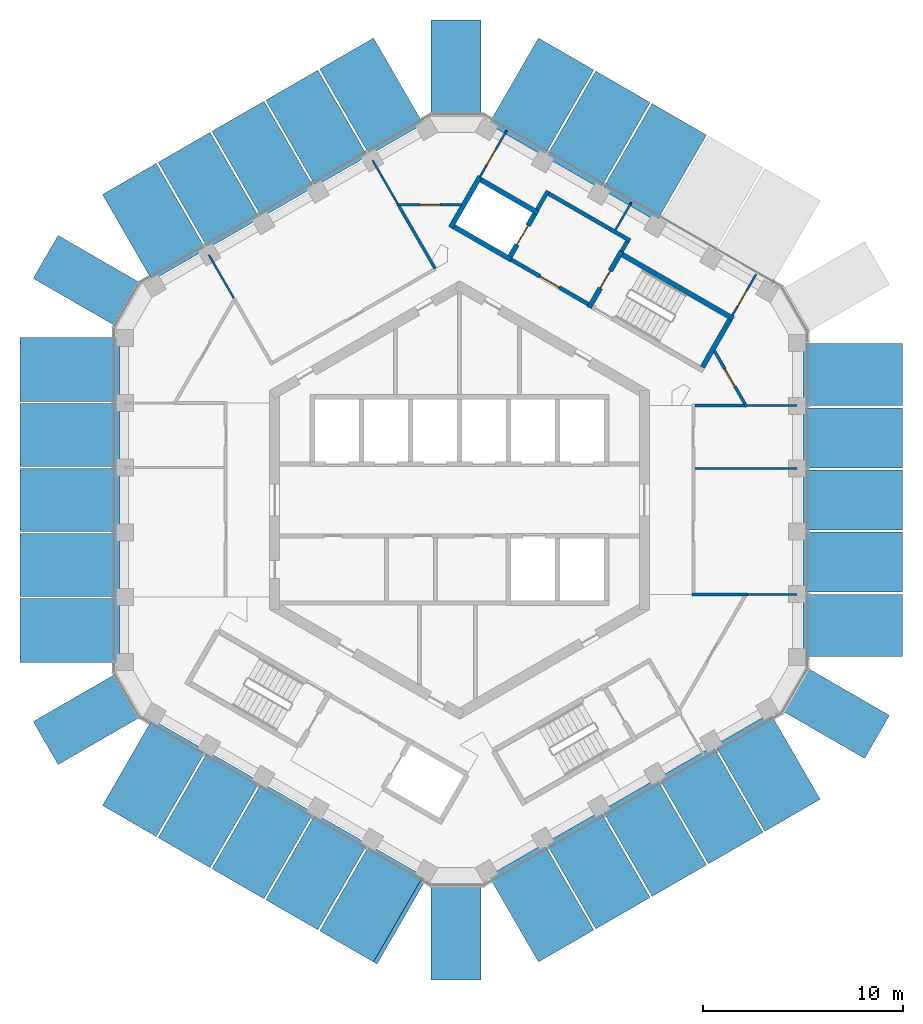
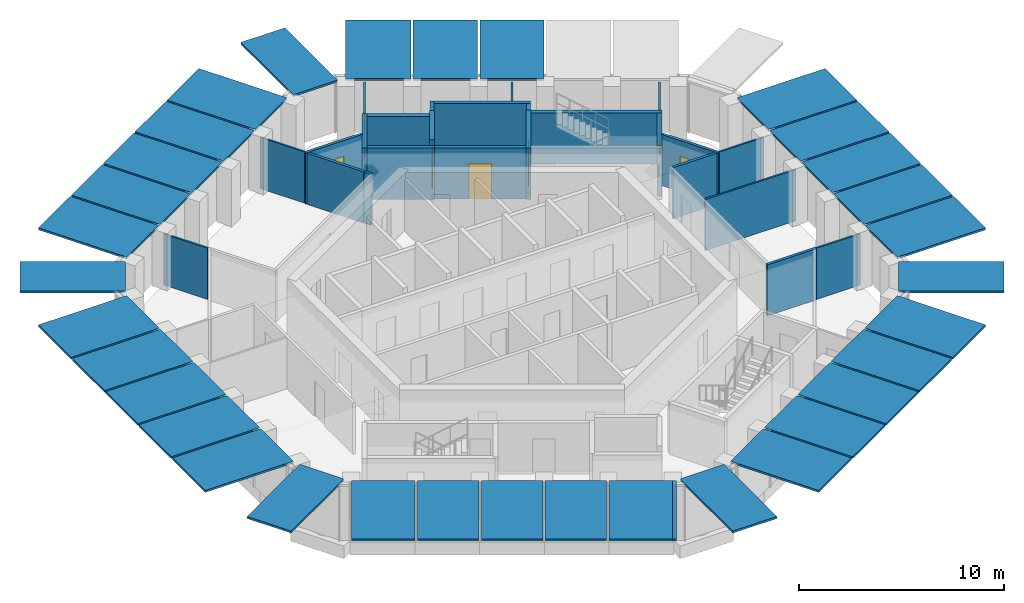
# One storey, part 14 of 17: 34 discrete accessories, 25 walls, 7 doors, 7 openings.
"""IFC4 building model written with IfcOpenShell, lengths in metres."""

from ifc_helpers import new_model, si_unit, direction, frame, frame_2d, origin, origin_2d, place, context, subcontext, project, spatial, polyline, rectangle, outline, extrude, material, layer, layer_set, type_object, element, fill, save


model = new_model("IFC4")

# Units and contexts
model_context = context("Model", 3, precision=1e-05, world=origin(), true_north=direction((0.0, 1.0)))
body_context = subcontext(model_context, "Body", "Model", "MODEL_VIEW")
ifc_project = project(units=[si_unit("LENGTHUNIT", "METRE"), si_unit("AREAUNIT", "SQUARE_METRE"), si_unit("VOLUMEUNIT", "CUBIC_METRE"), si_unit("PLANEANGLEUNIT", "RADIAN"), si_unit("MASSUNIT", "GRAM", prefix="KILO")], contexts=[model_context])

# Site, building, storey
site_placement = place(None, origin())
site = spatial("IfcSite", under=ifc_project, at=site_placement, CompositionType="ELEMENT")
building_placement = place(site_placement, origin())
building = spatial("IfcBuilding", under=site, at=building_placement, Name="Ayvan Gate Tower", CompositionType="ELEMENT")
storey_placement = place(building_placement, frame((0.0, 0.0, 225.699951171875)))
storey = spatial("IfcBuildingStorey", under=building, at=storey_placement, Name="L60", CompositionType="ELEMENT", Elevation=225.699951171875)

# Wall, opening, door
ifc_material_1 = material(Name="Plasterboard on steel stud", Category="steel")
ifc_layer_1 = layer(ifc_material_1, 0.14990234375)
ifc_layer_set_1 = layer_set([ifc_layer_1], Name="Plasterboard on steel stud")
wall_type_1 = type_object("IfcWallType", Name="WT-CORR-150", PredefinedType="PARTITIONING", material=ifc_layer_set_1)
wall_1_placement = place(storey_placement, frame((-3.140869140625, 14.767333984375, 0.0), z_axis=(0.0, 0.0, 1.0), x_axis=(1.0, 0.0, 0.0)))
wall_1 = element("IfcWall", 1, at=wall_1_placement, inside=storey, type_object=wall_type_1, Name="IW-L60-023", PredefinedType="PARTITIONING", context=body_context, shape_type="SweptSolid", body=[
    extrude(rectangle(XDim=3.22802734375, YDim=0.14990234375, at=frame_2d((1.614013671875, 0.0))), origin(), (0.0, 0.0, 1.0), 3.050048828125),
])
opening_1_placement = place(wall_1_placement, frame((1.168701171875, 0.0, 0.0)))
opening_1 = element("IfcOpeningElement", 2, at=opening_1_placement, cuts=wall_1, Name="Opening L60-D26", PredefinedType="OPENING", context=body_context, shape_type="SweptSolid", body=[
    extrude(rectangle(XDim=1.0, YDim=2.10009765625, at=frame_2d((0.5, 1.050048828125))), frame((0.0, 0.0849609375, 0.0), z_axis=(0.0, -1.0, 0.0), x_axis=(1.0, 0.0, 0.0)), (0.0, 0.0, 1.0), 0.169921875),
])
ifc_material_2 = material(Name="Timber door leaf", Category="wood")
door_type_1 = type_object("IfcDoorType", Name="DT-1000", OperationType="NOTDEFINED", PredefinedType="DOOR", material=ifc_material_2)
door_1_placement = place(opening_1_placement, origin())
door_1 = element("IfcDoor", 3, at=door_1_placement, inside=storey, type_object=door_type_1, Name="ID-L60-026", OperationType="SINGLE_SWING_RIGHT", OverallHeight=2.10009765625, OverallWidth=1.0, PredefinedType="DOOR", context=body_context, shape_type="SweptSolid", body=[
    extrude(rectangle(XDim=1.0, YDim=2.10009765625, at=frame_2d((0.5, 1.050048828125))), frame((0.0, 0.02490234375, 0.0), z_axis=(0.0, -1.0, 0.0), x_axis=(1.0, 0.0, 0.0)), (0.0, 0.0, 1.0), 0.050048828125),
])
fill(opening_1, door_1)

# Walls
wall_2_placement = place(storey_placement, frame((-1.427001953125, 11.928466796875, 0.0), z_axis=(0.0, 0.0, 1.0), x_axis=(-0.499951191736, 0.866053581415, 0.0)))
element("IfcWall", 4, at=wall_2_placement, inside=storey, type_object=wall_type_1, Name="IW-L60-028", PredefinedType="PARTITIONING", context=body_context, shape_type="SweptSolid", body=[
    extrude(rectangle(XDim=3.202880859375, YDim=0.14990234375, at=frame_2d((1.6015625, 0.0))), origin(), (0.0, 0.0, 1.0), 3.050048828125),
])
wall_3_placement = place(storey_placement, frame((-1.4169921875, 11.9111328125, 0.0), z_axis=(0.0, 0.0, 1.0), x_axis=(0.500107979177, -0.865963053002, 0.0)))
element("IfcWall", 5, at=wall_3_placement, inside=storey, type_object=wall_type_1, Name="IW-L60-029", PredefinedType="PARTITIONING", context=body_context, shape_type="SweptSolid", body=[
    extrude(rectangle(XDim=0.3837890625, YDim=0.14990234375, at=frame_2d((0.19189453125, 0.0))), origin(), (0.0, 0.0, 1.0), 3.050048828125),
])
wall_4_placement = place(storey_placement, frame((11.625, -4.728515625, 0.0), z_axis=(0.0, 0.0, 1.0), x_axis=(1.0, 0.0, 0.0)))
element("IfcWall", 6, at=wall_4_placement, inside=storey, type_object=wall_type_1, Name="IW-L60-067", PredefinedType="PARTITIONING", context=body_context, shape_type="SweptSolid", body=[
    extrude(rectangle(XDim=2.77197265625, YDim=0.14990234375, at=frame_2d((1.385986328125, 0.0))), origin(), (0.0, 0.0, 1.0), 3.050048828125),
])

# Wall, opening, door
wall_5_placement = place(storey_placement, frame((12.745361328125, 7.458984375, 0.0), z_axis=(0.0, 0.0, 1.0), x_axis=(0.500019253631, -0.86601428741, 0.0)))
wall_5 = element("IfcWall", 7, at=wall_5_placement, inside=storey, type_object=wall_type_1, Name="IW-L60-072", PredefinedType="PARTITIONING", context=body_context, shape_type="SweptSolid", body=[
    extrude(rectangle(XDim=3.227783203125, YDim=0.14990234375, at=frame_2d((1.61376953125, 0.0))), origin(), (0.0, 0.0, 1.0), 3.050048828125),
])
opening_2_placement = place(wall_5_placement, frame((1.05908203125, 0.0, 0.0)))
opening_2 = element("IfcOpeningElement", 8, at=opening_2_placement, cuts=wall_5, Name="Opening L60-D24", PredefinedType="OPENING", context=body_context, shape_type="SweptSolid", body=[
    extrude(rectangle(XDim=1.0, YDim=2.10009765625, at=frame_2d((0.5, 1.050048828125))), frame((0.0, 0.0849609375, 0.0), z_axis=(0.0, -1.0, 0.0), x_axis=(1.0, 0.0, 0.0)), (0.0, 0.0, 1.0), 0.169921875),
])
door_2_placement = place(opening_2_placement, origin())
door_2 = element("IfcDoor", 9, at=door_2_placement, inside=storey, type_object=door_type_1, Name="ID-L60-024", OperationType="SINGLE_SWING_RIGHT", OverallHeight=2.10009765625, OverallWidth=1.0, PredefinedType="DOOR", context=body_context, shape_type="SweptSolid", body=[
    extrude(rectangle(XDim=1.0, YDim=2.10009765625, at=frame_2d((0.5, 1.050048828125))), frame((0.0, 0.02490234375, 0.0), z_axis=(0.0, -1.0, 0.0), x_axis=(1.0, 0.0, 0.0)), (0.0, 0.0, 1.0), 0.050048828125),
])
fill(opening_2, door_2)

# Walls
wall_6_placement = place(storey_placement, frame((14.246826171875, 4.728515625, 0.0), z_axis=(0.0, 0.0, 1.0), x_axis=(-1.0, 0.0, 0.0)))
element("IfcWall", 10, at=wall_6_placement, inside=storey, type_object=wall_type_1, Name="IW-L60-076", PredefinedType="PARTITIONING", context=body_context, shape_type="SweptSolid", body=[
    extrude(rectangle(XDim=2.471923828125, YDim=0.14990234375, at=frame_2d((1.23583984375, 0.0))), origin(), (0.0, 0.0, 1.0), 3.050048828125),
])
ifc_layer_2 = layer(ifc_material_1, 0.10009765625)
ifc_layer_set_2 = layer_set([ifc_layer_2], Name="Plasterboard on steel stud")
wall_type_2 = type_object("IfcWallType", Name="WT-PART-100", PredefinedType="PARTITIONING", material=ifc_layer_set_2)
wall_7_placement = place(storey_placement, frame((-12.538818359375, 12.2607421875, 0.0), z_axis=(0.0, 0.0, 1.0), x_axis=(0.500008114086, -0.866020719064, 0.0)))
element("IfcWall", 11, at=wall_7_placement, inside=storey, type_object=wall_type_2, Name="IW-L60-003", PredefinedType="PARTITIONING", context=body_context, shape_type="SweptSolid", body=[
    extrude(rectangle(XDim=2.49072265625, YDim=0.10009765625, at=frame_2d((1.245361328125, 0.0))), origin(), (0.0, 0.0, 1.0), 3.050048828125),
])
wall_8_placement = place(storey_placement, frame((-3.103515625, 14.832275390625, 0.0), z_axis=(0.0, 0.0, 1.0), x_axis=(-0.499934593286, 0.866063163075, 0.0)))
element("IfcWall", 12, at=wall_8_placement, inside=storey, type_object=wall_type_2, Name="IW-L60-022", PredefinedType="PARTITIONING", context=body_context, shape_type="SweptSolid", body=[
    extrude(rectangle(XDim=2.490478515625, YDim=0.10009765625, at=frame_2d((1.2451171875, 0.0))), origin(), (0.0, 0.0, 1.0), 3.050048828125),
])

# Wall, opening, door
wall_9_placement = place(storey_placement, frame((2.359619140625, 18.48681640625, 0.0), z_axis=(0.0, 0.0, 1.0), x_axis=(-0.500021155841, -0.86601318911, 0.0)))
wall_9 = element("IfcWall", 13, at=wall_9_placement, inside=storey, type_object=wall_type_2, Name="IW-L60-039", PredefinedType="PARTITIONING", context=body_context, shape_type="SweptSolid", body=[
    extrude(rectangle(XDim=2.6650390625, YDim=0.10009765625, at=frame_2d((1.33251953125, 0.0))), origin(), (0.0, 0.0, 1.0), 3.050048828125),
])
opening_3_placement = place(wall_9_placement, frame((1.093017578125, 0.0, 0.0)))
opening_3 = element("IfcOpeningElement", 14, at=opening_3_placement, cuts=wall_9, Name="Opening L60-D27", PredefinedType="OPENING", context=body_context, shape_type="SweptSolid", body=[
    extrude(rectangle(XDim=0.89990234375, YDim=2.10009765625, at=frame_2d((0.449951171875, 1.050048828125))), frame((0.0, 0.06005859375, 0.0), z_axis=(0.0, -1.0, 0.0), x_axis=(1.0, 0.0, 0.0)), (0.0, 0.0, 1.0), 0.1201171875),
])
door_type_2 = type_object("IfcDoorType", Name="DT-900", OperationType="NOTDEFINED", PredefinedType="DOOR", material=ifc_material_2)
door_3_placement = place(opening_3_placement, origin())
door_3 = element("IfcDoor", 15, at=door_3_placement, inside=storey, type_object=door_type_2, Name="ID-L60-027", OperationType="SINGLE_SWING_LEFT", OverallHeight=2.10009765625, OverallWidth=0.89990234375, PredefinedType="DOOR", context=body_context, shape_type="SweptSolid", body=[
    extrude(rectangle(XDim=0.89990234375, YDim=2.10009765625, at=frame_2d((0.449951171875, 1.050048828125))), frame((0.0, 0.02490234375, 0.0), z_axis=(0.0, -1.0, 0.0), x_axis=(1.0, 0.0, 0.0)), (0.0, 0.0, 1.0), 0.050048828125),
])
fill(opening_3, door_3)

# Walls
wall_10_placement = place(storey_placement, frame((7.800048828125, 13.510009765625, 0.0), z_axis=(0.0, 0.0, 1.0), x_axis=(0.500037068326, 0.866004001318, 0.0)))
element("IfcWall", 16, at=wall_10_placement, inside=storey, type_object=wall_type_2, Name="IW-L60-060", PredefinedType="PARTITIONING", context=body_context, shape_type="SweptSolid", body=[
    extrude(rectangle(XDim=1.58984375, YDim=0.10009765625, at=frame_2d((0.794921875, 0.0))), origin(), (0.0, 0.0, 1.0), 3.050048828125),
])
wall_11_placement = place(storey_placement, frame((11.77490234375, 1.576171875, 0.0), z_axis=(0.0, 0.0, 1.0), x_axis=(1.0, 0.0, 0.0)))
element("IfcWall", 17, at=wall_11_placement, inside=storey, type_object=wall_type_2, Name="IW-L60-068", PredefinedType="PARTITIONING", context=body_context, shape_type="SweptSolid", body=[
    extrude(rectangle(XDim=5.112548828125, YDim=0.10009765625, at=frame_2d((2.55615234375, 0.0))), origin(), (0.0, 0.0, 1.0), 3.050048828125),
])

# Wall, opening, door
wall_12_placement = place(storey_placement, frame((13.647705078125, 9.23876953125, 0.0), z_axis=(0.0, 0.0, 1.0), x_axis=(0.50004711805, 0.865998198456, 0.0)))
wall_12 = element("IfcWall", 18, at=wall_12_placement, inside=storey, type_object=wall_type_2, Name="IW-L60-074", PredefinedType="PARTITIONING", context=body_context, shape_type="SweptSolid", body=[
    extrude(rectangle(XDim=2.364990234375, YDim=0.10009765625, at=frame_2d((1.1826171875, 0.0))), origin(), (0.0, 0.0, 1.0), 3.050048828125),
])
opening_4_placement = place(wall_12_placement, frame((0.52197265625, 0.0, 0.0)))
opening_4 = element("IfcOpeningElement", 19, at=opening_4_placement, cuts=wall_12, Name="Opening L60-D25", PredefinedType="OPENING", context=body_context, shape_type="SweptSolid", body=[
    extrude(rectangle(XDim=0.89990234375, YDim=2.10009765625, at=frame_2d((0.449951171875, 1.050048828125))), frame((0.0, 0.06005859375, 0.0), z_axis=(0.0, -1.0, 0.0), x_axis=(1.0, 0.0, 0.0)), (0.0, 0.0, 1.0), 0.1201171875),
])
door_4_placement = place(opening_4_placement, origin())
door_4 = element("IfcDoor", 20, at=door_4_placement, inside=storey, type_object=door_type_2, Name="ID-L60-025", OperationType="SINGLE_SWING_LEFT", OverallHeight=2.10009765625, OverallWidth=0.89990234375, PredefinedType="DOOR", context=body_context, shape_type="SweptSolid", body=[
    extrude(rectangle(XDim=0.89990234375, YDim=2.10009765625, at=frame_2d((0.449951171875, 1.050048828125))), frame((0.0, 0.02490234375, 0.0), z_axis=(0.0, -1.0, 0.0), x_axis=(1.0, 0.0, 0.0)), (0.0, 0.0, 1.0), 0.050048828125),
])
fill(opening_4, door_4)

# Walls
wall_13_placement = place(storey_placement, frame((14.39697265625, 4.728515625, 0.0), z_axis=(0.0, 0.0, 1.0), x_axis=(1.0, 0.0, 0.0)))
element("IfcWall", 21, at=wall_13_placement, inside=storey, type_object=wall_type_2, Name="IW-L60-077", PredefinedType="PARTITIONING", context=body_context, shape_type="SweptSolid", body=[
    extrude(rectangle(XDim=2.490478515625, YDim=0.10009765625, at=frame_2d((1.2451171875, 0.0))), origin(), (0.0, 0.0, 1.0), 3.050048828125),
])
wall_14_placement = place(storey_placement, frame((16.887451171875, -4.728515625, 0.0), z_axis=(0.0, 0.0, 1.0), x_axis=(-1.0, 0.0, 0.0)))
element("IfcWall", 22, at=wall_14_placement, inside=storey, type_object=wall_type_2, Name="IW-L60-078", PredefinedType="PARTITIONING", context=body_context, shape_type="SweptSolid", body=[
    extrude(rectangle(XDim=2.49072265625, YDim=0.10009765625, at=frame_2d((1.245361328125, 0.0))), origin(), (0.0, 0.0, 1.0), 3.050048828125),
])
ifc_layer_3 = layer(ifc_material_1, 0.199951171875)
ifc_layer_set_3 = layer_set([ifc_layer_3], Name="Plasterboard on steel stud")
wall_type_3 = type_object("IfcWallType", Name="WT-RATED-200", PredefinedType="PARTITIONING", material=ifc_layer_set_3)
wall_15_placement = place(storey_placement, frame((3.885009765625, 14.52880859375, 0.0), z_axis=(0.0, 0.0, 1.0), x_axis=(0.499997628298, 0.866026773083, 0.0)))
element("IfcWall", 23, at=wall_15_placement, inside=storey, type_object=wall_type_3, Name="IW-L60-046", PredefinedType="PARTITIONING", context=body_context, shape_type="SweptSolid", body=[
    extrude(rectangle(XDim=1.0751953125, YDim=0.199951171875, at=frame_2d((0.53759765625, 0.0))), origin(), (0.0, 0.0, 1.0), 3.050048828125),
])
wall_16_placement = place(storey_placement, frame((4.458984375, 15.323486328125, 0.0), z_axis=(0.0, 0.0, 1.0), x_axis=(0.866016039709, -0.500016218704, 0.0)))
element("IfcWall", 24, at=wall_16_placement, inside=storey, type_object=wall_type_3, Name="IW-L60-047", PredefinedType="PARTITIONING", context=body_context, shape_type="SweptSolid", body=[
    extrude(rectangle(XDim=4.699951171875, YDim=0.199951171875, at=frame_2d((2.35009765625, 0.0))), origin(), (0.0, 0.0, 1.0), 3.050048828125),
])

# Wall, opening, door
wall_17_placement = place(storey_placement, frame((6.4345703125, 9.794921875, 0.0), z_axis=(0.0, 0.0, 1.0), x_axis=(-0.866012907634, 0.500021643343, 0.0)))
wall_17 = element("IfcWall", 25, at=wall_17_placement, inside=storey, type_object=wall_type_3, Name="IW-L60-052", PredefinedType="PARTITIONING", context=body_context, shape_type="SweptSolid", body=[
    extrude(rectangle(XDim=4.449951171875, YDim=0.199951171875, at=frame_2d((2.22509765625, 0.0))), origin(), (0.0, 0.0, 1.0), 3.050048828125),
])
opening_5_placement = place(wall_17_placement, frame((1.675048828125, 0.0, 0.0)))
opening_5 = element("IfcOpeningElement", 26, at=opening_5_placement, cuts=wall_17, Name="Opening L60-D13", PredefinedType="OPENING", context=body_context, shape_type="SweptSolid", body=[
    extrude(rectangle(XDim=1.10009765625, YDim=2.10009765625, at=frame_2d((0.550048828125, 1.050048828125))), frame((0.0, 0.10986328125, 0.0), z_axis=(0.0, -1.0, 0.0), x_axis=(1.0, 0.0, 0.0)), (0.0, 0.0, 1.0), 0.219970703125),
])
door_type_3 = type_object("IfcDoorType", Name="DT-1100", OperationType="NOTDEFINED", PredefinedType="DOOR", material=ifc_material_2)
door_5_placement = place(opening_5_placement, origin())
door_5 = element("IfcDoor", 27, at=door_5_placement, inside=storey, type_object=door_type_3, Name="ID-L60-013", OperationType="SINGLE_SWING_LEFT", OverallHeight=2.10009765625, OverallWidth=1.10009765625, PredefinedType="DOOR", context=body_context, shape_type="SweptSolid", body=[
    extrude(rectangle(XDim=1.10009765625, YDim=2.10009765625, at=frame_2d((0.550048828125, 1.050048828125))), frame((0.0, 0.02490234375, 0.0), z_axis=(0.0, -1.0, 0.0), x_axis=(1.0, 0.0, 0.0)), (0.0, 0.0, 1.0), 0.050048828125),
])
fill(opening_5, door_5)

# Walls
wall_18_placement = place(storey_placement, frame((8.392822265625, 12.936767578125, 0.0), z_axis=(0.0, 0.0, 1.0), x_axis=(-0.500065409566, -0.86598763626, 0.0)))
element("IfcWall", 28, at=wall_18_placement, inside=storey, type_object=wall_type_3, Name="IW-L60-062", PredefinedType="PARTITIONING", context=body_context, shape_type="SweptSolid", body=[
    extrude(rectangle(XDim=0.5751953125, YDim=0.199951171875, at=frame_2d((0.28759765625, 0.0))), origin(), (0.0, 0.0, 1.0), 3.050048828125),
])
ifc_material_3 = material(Name="Concrete C50/60", Category="concrete")
ifc_layer_4 = layer(ifc_material_3, 0.25)
ifc_layer_set_4 = layer_set([ifc_layer_4], Name="Concrete C50/60")
wall_type_4 = type_object("IfcWallType", Name="WT-RC-250", PredefinedType="SHEAR", material=ifc_layer_set_4)
wall_19_placement = place(storey_placement, frame((-0.447998046875, 13.624267578125, 0.0), z_axis=(0.0, 0.0, 1.0), x_axis=(0.500037662692, 0.866003658127, 0.0)))
element("IfcWall", 29, at=wall_19_placement, inside=storey, type_object=wall_type_4, Name="IW-L60-032", PredefinedType="SHEAR", context=body_context, shape_type="SweptSolid", body=[
    extrude(rectangle(XDim=2.949951171875, YDim=0.25, at=frame_2d((1.47509765625, 0.0))), origin(), (0.0, 0.0, 1.0), 3.050048828125),
])
for number, where, z_axis, x_axis, name in (
    (30, (1.072998046875, 16.00830078125, 0.0), (0.0, 0.0, 1.0), (0.866040211805, -0.499974350878, 0.0), "IW-L60-037"),
    (31, (2.580810546875, 12.02001953125, 0.0), (0.0, 0.0, 1.0), (-0.866040211805, 0.499974350878, 0.0), "IW-L60-042"),
):
    element("IfcWall", number, at=place(storey_placement, frame(where, z_axis=z_axis, x_axis=x_axis)), inside=storey, type_object=wall_type_4, Name=name, PredefinedType="SHEAR", context=body_context, shape_type="SweptSolid", body=[
        extrude(rectangle(XDim=3.300048828125, YDim=0.25, at=frame_2d((1.64990234375, 0.0))), origin(), (0.0, 0.0, 1.0), 3.050048828125),
    ])

# Wall, opening, door
wall_20_placement = place(storey_placement, frame((2.534912109375, 12.19091796875, 0.0), z_axis=(0.0, 0.0, 1.0), x_axis=(0.500061746146, 0.865989751695, 0.0)))
wall_20 = element("IfcWall", 32, at=wall_20_placement, inside=storey, type_object=wall_type_4, Name="IW-L60-043", PredefinedType="SHEAR", context=body_context, shape_type="SweptSolid", body=[
    extrude(rectangle(XDim=2.449951171875, YDim=0.25, at=frame_2d((1.22509765625, 0.0))), origin(), (0.0, 0.0, 1.0), 3.400146484375),
])
opening_6_placement = place(wall_20_placement, frame((0.675048828125, 0.0, 0.0)))
opening_6 = element("IfcOpeningElement", 33, at=opening_6_placement, cuts=wall_20, Name="Opening L60-LD-FF1", PredefinedType="OPENING", context=body_context, shape_type="SweptSolid", body=[
    extrude(rectangle(XDim=1.10009765625, YDim=2.10009765625, at=frame_2d((0.550048828125, 1.050048828125))), frame((0.0, 0.135009765625, 0.0), z_axis=(0.0, -1.0, 0.0), x_axis=(1.0, 0.0, 0.0)), (0.0, 0.0, 1.0), 0.27001953125),
])
ifc_material_4 = material(Name="Stainless steel landing door", Category="steel")
door_type_4 = type_object("IfcDoorType", Name="DT-LANDING-1100", OperationType="SLIDING_TO_LEFT", PredefinedType="DOOR", material=ifc_material_4)
door_6_placement = place(opening_6_placement, origin())
door_6 = element("IfcDoor", 34, at=door_6_placement, inside=storey, type_object=door_type_4, Name="ID-L60-014", OperationType="SLIDING_TO_LEFT", OverallHeight=2.10009765625, OverallWidth=1.10009765625, PredefinedType="DOOR", context=body_context, shape_type="SweptSolid", body=[
    extrude(rectangle(XDim=1.10009765625, YDim=2.10009765625, at=frame_2d((0.550048828125, 1.050048828125))), frame((0.0, 0.02490234375, 0.0), z_axis=(0.0, -1.0, 0.0), x_axis=(1.0, 0.0, 0.0)), (0.0, 0.0, 1.0), 0.050048828125),
])
fill(opening_6, door_6)

wall_21_placement = place(storey_placement, frame((6.480224609375, 9.624267578125, 0.0), z_axis=(0.0, 0.0, 1.0), x_axis=(0.500017246033, 0.866015446554, 0.0)))
wall_21 = element("IfcWall", 35, at=wall_21_placement, inside=storey, type_object=wall_type_4, Name="IW-L60-053", PredefinedType="SHEAR", context=body_context, shape_type="SweptSolid", body=[
    extrude(rectangle(XDim=3.25, YDim=0.25, at=frame_2d((1.625, 0.0))), origin(), (0.0, 0.0, 1.0), 3.050048828125),
])
opening_7_placement = place(wall_21_placement, frame((1.125, 0.0, 0.0)))
opening_7 = element("IfcOpeningElement", 36, at=opening_7_placement, cuts=wall_21, Name="Opening L60-D12", PredefinedType="OPENING", context=body_context, shape_type="SweptSolid", body=[
    extrude(rectangle(XDim=1.0, YDim=2.10009765625, at=frame_2d((0.5, 1.050048828125))), frame((0.0, 0.135009765625, 0.0), z_axis=(0.0, -1.0, 0.0), x_axis=(1.0, 0.0, 0.0)), (0.0, 0.0, 1.0), 0.27001953125),
])
door_7_placement = place(opening_7_placement, origin())
door_7 = element("IfcDoor", 37, at=door_7_placement, inside=storey, type_object=door_type_1, Name="ID-L60-012", OperationType="SINGLE_SWING_RIGHT", OverallHeight=2.10009765625, OverallWidth=1.0, PredefinedType="DOOR", context=body_context, shape_type="SweptSolid", body=[
    extrude(rectangle(XDim=1.0, YDim=2.10009765625, at=frame_2d((0.5, 1.050048828125))), frame((0.0, 0.02490234375, 0.0), z_axis=(0.0, -1.0, 0.0), x_axis=(1.0, 0.0, 0.0)), (0.0, 0.0, 1.0), 0.050048828125),
])
fill(opening_7, door_7)

# Walls
wall_22_placement = place(storey_placement, frame((8.151123046875, 12.26806640625, 0.0), z_axis=(0.0, 0.0, 1.0), x_axis=(0.866025499775, -0.499999833739, 0.0)))
element("IfcWall", 38, at=wall_22_placement, inside=storey, type_object=wall_type_4, Name="IW-L60-061", PredefinedType="SHEAR", context=body_context, shape_type="SweptSolid", body=[
    extrude(rectangle(XDim=6.39990234375, YDim=0.25, at=frame_2d((3.199951171875, 0.0))), origin(), (0.0, 0.0, 1.0), 3.050048828125),
])
wall_23_placement = place(storey_placement, frame((12.14794921875, 6.640869140625, 0.0), z_axis=(0.0, 0.0, 1.0), x_axis=(0.500034990121, 0.866005201286, 0.0)))
element("IfcWall", 39, at=wall_23_placement, inside=storey, type_object=wall_type_4, Name="IW-L60-073", PredefinedType="SHEAR", context=body_context, shape_type="SweptSolid", body=[
    extrude(rectangle(XDim=2.749755859375, YDim=0.25, at=frame_2d((1.375, 0.0))), origin(), (0.0, 0.0, 1.0), 3.050048828125),
])

# Discrete accessories
ifc_material_5 = material(Name="Stainless steel 316", Category="steel")
ifc_layer_5 = layer(ifc_material_5, 0.1201171875)
ifc_layer_set_5 = layer_set([ifc_layer_5], Name="Stainless steel 316")
discrete_accessory_type = type_object("IfcDiscreteAccessoryType", Name="Fin carrier bracket", PredefinedType="BRACKET", material=ifc_layer_set_5)
discrete_accessory_1_placement = place(storey_placement, frame((-19.4970703125, -6.53662109375, 3.280029296875), z_axis=(0.0, 0.0, 1.0), x_axis=(0.0, -1.0, 0.0)))
element("IfcDiscreteAccessory", 40, at=discrete_accessory_1_placement, inside=storey, type_object=discrete_accessory_type, Name="Fin carrier 157", PredefinedType="BRACKET", context=body_context, shape_type="SweptSolid", body=[
    extrude(rectangle(XDim=3.19677734375, YDim=4.97509765625, at=origin_2d()), origin(), (0.0, 0.0, 1.0), 0.1201171875),
])
discrete_accessory_2_placement = place(storey_placement, frame((-19.4970703125, -3.255126953125, 3.280029296875), z_axis=(0.0, 0.0, 1.0), x_axis=(0.0, -1.0, 0.0)))
element("IfcDiscreteAccessory", 41, at=discrete_accessory_2_placement, inside=storey, type_object=discrete_accessory_type, Name="Fin carrier 165", PredefinedType="BRACKET", context=body_context, shape_type="SweptSolid", body=[
    extrude(rectangle(XDim=3.14599609375, YDim=4.97509765625, at=origin_2d()), origin(), (0.0, 0.0, 1.0), 0.1201171875),
])
for number, where, z_axis, x_axis, name in (
    (42, (-19.4970703125, 0.000244140625, 3.280029296875), (0.0, 0.0, 1.0), (0.0, -1.0, 0.0), "Fin carrier 166"),
    (43, (-19.4970703125, 3.25537109375, 3.280029296875), (0.0, 0.0, 1.0), (0.0, -1.0, 0.0), "Fin carrier 174"),
):
    element("IfcDiscreteAccessory", number, at=place(storey_placement, frame(where, z_axis=z_axis, x_axis=x_axis)), inside=storey, type_object=discrete_accessory_type, Name=name, PredefinedType="BRACKET", context=body_context, shape_type="SweptSolid", body=[
        extrude(rectangle(XDim=3.14501953125, YDim=4.97509765625, at=origin_2d()), origin(), (0.0, 0.0, 1.0), 0.1201171875),
    ])
discrete_accessory_3_placement = place(storey_placement, frame((-19.4970703125, 6.536376953125, 3.280029296875), z_axis=(0.0, 0.0, 1.0), x_axis=(0.0, -1.0, 0.0)))
element("IfcDiscreteAccessory", 44, at=discrete_accessory_3_placement, inside=storey, type_object=discrete_accessory_type, Name="Fin carrier 182", PredefinedType="BRACKET", context=body_context, shape_type="SweptSolid", body=[
    extrude(rectangle(XDim=3.197021484375, YDim=4.97509765625, at=origin_2d()), origin(), (0.0, 0.0, 1.0), 0.1201171875),
])
for number, where, z_axis, x_axis, name in (
    (45, (-18.475830078125, -10.87255859375, 3.280029296875), (0.0, 0.0, 1.0), (0.5, -0.866025403784, 0.0), "Fin carrier 194"),
    (46, (-18.475830078125, 10.87255859375, 3.280029296875), (0.0, 0.0, 1.0), (-0.5, -0.866025403784, 0.0), "Fin carrier 205"),
):
    element("IfcDiscreteAccessory", number, at=place(storey_placement, frame(where, z_axis=z_axis, x_axis=x_axis)), inside=storey, type_object=discrete_accessory_type, Name=name, PredefinedType="BRACKET", context=body_context, shape_type="SweptSolid", body=[
        extrude(rectangle(XDim=2.482666015625, YDim=5.14208984375, at=origin_2d()), origin(), (0.0, 0.0, 1.0), 0.1201171875),
    ])
for number, where, z_axis, x_axis, name in (
    (47, (-15.27099609375, -13.902099609375, 3.280029296875), (0.0, 0.0, 1.0), (0.866025403784, -0.5, 0.0), "Fin carrier 258"),
    (48, (-15.27099609375, 13.902099609375, 3.280029296875), (0.0, 0.0, 1.0), (-0.866025403784, -0.5, 0.0), "Fin carrier 259"),
):
    element("IfcDiscreteAccessory", number, at=place(storey_placement, frame(where, z_axis=z_axis, x_axis=x_axis)), inside=storey, type_object=discrete_accessory_type, Name=name, PredefinedType="BRACKET", context=body_context, shape_type="SweptSolid", body=[
        extrude(rectangle(XDim=3.10498046875, YDim=4.97509765625, at=origin_2d()), origin(), (0.0, 0.0, 1.0), 0.1201171875),
    ])
for number, where, z_axis, x_axis, name in (
    (49, (-12.53173828125, -15.483642578125, 3.280029296875), (0.0, 0.0, 1.0), (0.866025403784, -0.5, 0.0), "Fin carrier 310"),
    (50, (-12.53173828125, 15.483642578125, 3.280029296875), (0.0, 0.0, 1.0), (-0.866025403784, -0.5, 0.0), "Fin carrier 313"),
    (51, (-9.83740234375, -17.0390625, 3.280029296875), (0.0, 0.0, 1.0), (0.866025403784, -0.5, 0.0), "Fin carrier 356"),
    (52, (-9.83740234375, 17.0390625, 3.280029296875), (0.0, 0.0, 1.0), (-0.866025403784, -0.5, 0.0), "Fin carrier 367"),
    (53, (-7.143310546875, -18.594482421875, 3.280029296875), (0.0, 0.0, 1.0), (0.866025403784, -0.5, 0.0), "Fin carrier 418"),
    (54, (-7.143310546875, 18.594482421875, 3.280029296875), (0.0, 0.0, 1.0), (-0.866025403784, -0.5, 0.0), "Fin carrier 420"),
):
    element("IfcDiscreteAccessory", number, at=place(storey_placement, frame(where, z_axis=z_axis, x_axis=x_axis)), inside=storey, type_object=discrete_accessory_type, Name=name, PredefinedType="BRACKET", context=body_context, shape_type="SweptSolid", body=[
        extrude(rectangle(XDim=3.0009765625, YDim=4.97509765625, at=origin_2d()), origin(), (0.0, 0.0, 1.0), 0.1201171875),
    ])
for number, where, z_axis, x_axis, name in (
    (55, (-4.404052734375, -20.176025390625, 3.280029296875), (0.0, 0.0, 1.0), (0.866025403784, -0.5, 0.0), "Fin carrier 471"),
    (56, (-4.404052734375, 20.176025390625, 3.280029296875), (0.0, 0.0, 1.0), (-0.866025403784, -0.5, 0.0), "Fin carrier 472"),
):
    element("IfcDiscreteAccessory", number, at=place(storey_placement, frame(where, z_axis=z_axis, x_axis=x_axis)), inside=storey, type_object=discrete_accessory_type, Name=name, PredefinedType="BRACKET", context=body_context, shape_type="SweptSolid", body=[
        extrude(rectangle(XDim=3.10498046875, YDim=4.97509765625, at=origin_2d()), origin(), (0.0, 0.0, 1.0), 0.1201171875),
    ])
for number, where, z_axis, x_axis, name in (
    (57, (-0.177978515625, -21.436767578125, 3.280029296875), (0.0, 0.0, 1.0), (1.0, 0.0, 0.0), "Fin carrier 532"),
    (58, (-0.177978515625, 21.436767578125, 3.280029296875), (0.0, 0.0, 1.0), (-1.0, 0.0, 0.0), "Fin carrier 534"),
):
    element("IfcDiscreteAccessory", number, at=place(storey_placement, frame(where, z_axis=z_axis, x_axis=x_axis)), inside=storey, type_object=discrete_accessory_type, Name=name, PredefinedType="BRACKET", context=body_context, shape_type="SweptSolid", body=[
        extrude(rectangle(XDim=2.482666015625, YDim=5.14208984375, at=origin_2d()), origin(), (0.0, 0.0, 1.0), 0.1201171875),
    ])
discrete_accessory_4_placement = place(storey_placement, frame((4.087890625, -20.153076171875, 3.280029296875), z_axis=(0.0, 0.0, 1.0), x_axis=(0.866025403784, 0.5, 0.0)))
element("IfcDiscreteAccessory", 59, at=discrete_accessory_4_placement, inside=storey, type_object=discrete_accessory_type, Name="Fin carrier 577", PredefinedType="BRACKET", context=body_context, shape_type="SweptSolid", body=[
    extrude(rectangle(XDim=3.197021484375, YDim=4.97509765625, at=origin_2d()), origin(), (0.0, 0.0, 1.0), 0.1201171875),
])
discrete_accessory_5_placement = place(storey_placement, frame((4.087646484375, 20.153076171875, 3.280029296875), z_axis=(0.0, 0.0, 1.0), x_axis=(-0.866025403784, 0.5, 0.0)))
element("IfcDiscreteAccessory", 60, at=discrete_accessory_5_placement, inside=storey, type_object=discrete_accessory_type, Name="Fin carrier 578", PredefinedType="BRACKET", context=body_context, shape_type="SweptSolid", body=[
    extrude(rectangle(XDim=3.19677734375, YDim=4.97509765625, at=origin_2d()), origin(), (0.0, 0.0, 1.0), 0.1201171875),
])
discrete_accessory_6_placement = place(storey_placement, frame((6.92919921875, -18.512451171875, 3.280029296875), z_axis=(0.0, 0.0, 1.0), x_axis=(0.866025403784, 0.5, 0.0)))
element("IfcDiscreteAccessory", 61, at=discrete_accessory_6_placement, inside=storey, type_object=discrete_accessory_type, Name="Fin carrier 630", PredefinedType="BRACKET", context=body_context, shape_type="SweptSolid", body=[
    extrude(rectangle(XDim=3.14501953125, YDim=4.97509765625, at=origin_2d()), origin(), (0.0, 0.0, 1.0), 0.1201171875),
])
discrete_accessory_7_placement = place(storey_placement, frame((6.929443359375, 18.512451171875, 3.280029296875), z_axis=(0.0, 0.0, 1.0), x_axis=(-0.866025403784, 0.5, 0.0)))
element("IfcDiscreteAccessory", 62, at=discrete_accessory_7_placement, inside=storey, type_object=discrete_accessory_type, Name="Fin carrier 632", PredefinedType="BRACKET", context=body_context, shape_type="SweptSolid", body=[
    extrude(rectangle(XDim=3.14599609375, YDim=4.97509765625, at=origin_2d()), origin(), (0.0, 0.0, 1.0), 0.1201171875),
])
for number, where, z_axis, x_axis, name in (
    (63, (9.748046875, -16.885009765625, 3.280029296875), (0.0, 0.0, 1.0), (0.866025403784, 0.5, 0.0), "Fin carrier 662"),
    (64, (9.748779296875, 16.884765625, 3.280029296875), (0.0, 0.0, 1.0), (-0.866025403784, 0.5, 0.0), "Fin carrier 679"),
):
    element("IfcDiscreteAccessory", number, at=place(storey_placement, frame(where, z_axis=z_axis, x_axis=x_axis)), inside=storey, type_object=discrete_accessory_type, Name=name, PredefinedType="BRACKET", context=body_context, shape_type="SweptSolid", body=[
        extrude(rectangle(XDim=3.14501953125, YDim=4.97509765625, at=origin_2d()), origin(), (0.0, 0.0, 1.0), 0.1201171875),
    ])
discrete_accessory_8_placement = place(storey_placement, frame((12.567626953125, -15.25732421875, 3.280029296875), z_axis=(0.0, 0.0, 1.0), x_axis=(0.866025403784, 0.5, 0.0)))
element("IfcDiscreteAccessory", 65, at=discrete_accessory_8_placement, inside=storey, type_object=discrete_accessory_type, Name="Fin carrier 722", PredefinedType="BRACKET", context=body_context, shape_type="SweptSolid", body=[
    extrude(rectangle(XDim=3.14599609375, YDim=4.97509765625, at=origin_2d()), origin(), (0.0, 0.0, 1.0), 0.1201171875),
])
discrete_accessory_9_placement = place(storey_placement, frame((15.4091796875, -13.61669921875, 3.280029296875), z_axis=(0.0, 0.0, 1.0), x_axis=(0.866025403784, 0.5, 0.0)))
element("IfcDiscreteAccessory", 66, at=discrete_accessory_9_placement, inside=storey, type_object=discrete_accessory_type, Name="Fin carrier 780", PredefinedType="BRACKET", context=body_context, shape_type="SweptSolid", body=[
    extrude(rectangle(XDim=3.19677734375, YDim=4.97509765625, at=origin_2d()), origin(), (0.0, 0.0, 1.0), 0.1201171875),
])
discrete_accessory_10_placement = place(storey_placement, frame((18.65380859375, -10.564208984375, 3.280029296875), z_axis=(0.0, 0.0, 1.0), x_axis=(0.5, 0.866025403784, 0.0)))
element("IfcDiscreteAccessory", 67, at=discrete_accessory_10_placement, inside=storey, type_object=discrete_accessory_type, Name="Fin carrier 832", PredefinedType="BRACKET", context=body_context, shape_type="SweptSolid", body=[
    extrude(rectangle(XDim=2.482666015625, YDim=5.14208984375, at=origin_2d()), origin(), (0.0, 0.0, 1.0), 0.1201171875),
])
discrete_accessory_11_placement = place(storey_placement, frame((19.675048828125, -6.27392578125, 3.280029296875), z_axis=(0.0, 0.0, 1.0), x_axis=(0.0, 1.0, 0.0)))
element("IfcDiscreteAccessory", 68, at=discrete_accessory_11_placement, inside=storey, type_object=discrete_accessory_type, Name="Fin carrier 845", PredefinedType="BRACKET", context=body_context, shape_type="SweptSolid", body=[
    extrude(rectangle(XDim=3.10498046875, YDim=4.97509765625, at=origin_2d()), origin(), (0.0, 0.0, 1.0), 0.1201171875),
])
for number, where, z_axis, x_axis, name in (
    (69, (19.675048828125, -3.111083984375, 3.280029296875), (0.0, 0.0, 1.0), (0.0, 1.0, 0.0), "Fin carrier 856"),
    (70, (19.675048828125, 0.0, 3.280029296875), (0.0, 0.0, 1.0), (0.0, 1.0, 0.0), "Fin carrier 858"),
    (71, (19.675048828125, 3.111083984375, 3.280029296875), (0.0, 0.0, 1.0), (0.0, 1.0, 0.0), "Fin carrier 869"),
):
    element("IfcDiscreteAccessory", number, at=place(storey_placement, frame(where, z_axis=z_axis, x_axis=x_axis)), inside=storey, type_object=discrete_accessory_type, Name=name, PredefinedType="BRACKET", context=body_context, shape_type="SweptSolid", body=[
        extrude(rectangle(XDim=3.0009765625, YDim=4.97509765625, at=origin_2d()), origin(), (0.0, 0.0, 1.0), 0.1201171875),
    ])
discrete_accessory_12_placement = place(storey_placement, frame((19.675048828125, 6.27392578125, 3.280029296875), z_axis=(0.0, 0.0, 1.0), x_axis=(0.0, 1.0, 0.0)))
element("IfcDiscreteAccessory", 72, at=discrete_accessory_12_placement, inside=storey, type_object=discrete_accessory_type, Name="Fin carrier 880", PredefinedType="BRACKET", context=body_context, shape_type="SweptSolid", body=[
    extrude(rectangle(XDim=3.10498046875, YDim=4.97509765625, at=origin_2d()), origin(), (0.0, 0.0, 1.0), 0.1201171875),
])
discrete_accessory_13_placement = place(storey_placement, frame((0.0, 0.0, 3.280029296875)))
element("IfcDiscreteAccessory", 73, at=discrete_accessory_13_placement, inside=storey, type_object=discrete_accessory_type, Name="Fin carrier 1141", PredefinedType="BRACKET", context=body_context, shape_type="SweptSolid", body=[
    extrude(outline(polyline([(-1.6376953125, -18.90087890625), (-4.125244140625, -23.209228515625), (-4.30322265625, -23.1064453125), (-1.81591796875, -18.798095703125), (-1.6376953125, -18.90087890625)])), origin(), (0.0, 0.0, 1.0), 0.1201171875),
])

save(model, "model.ifc")
